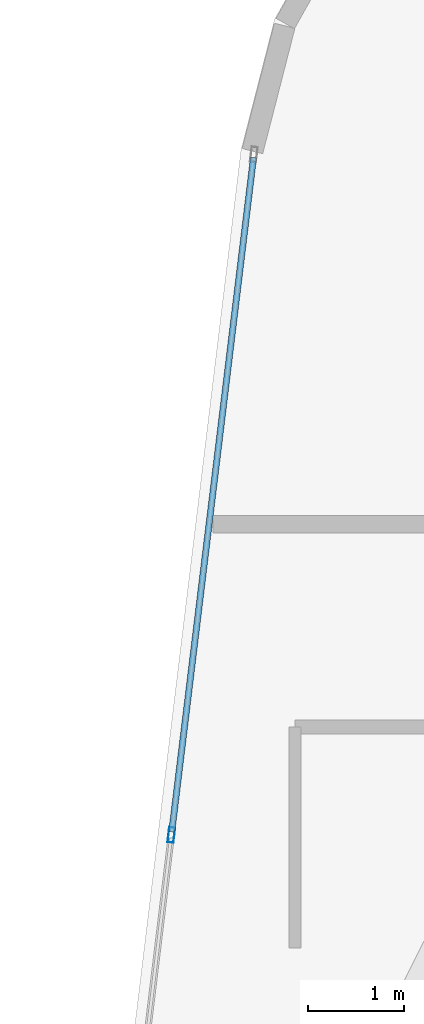
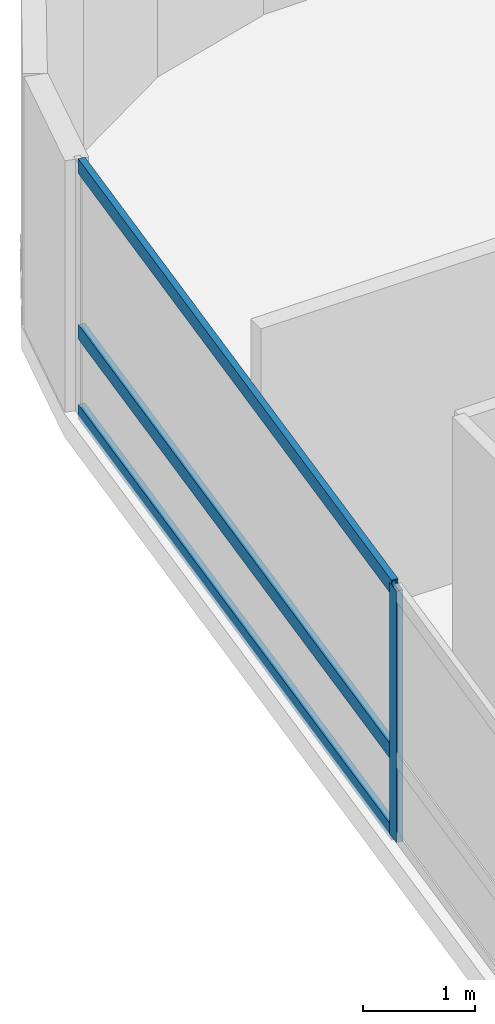
# One storey, part 10 of 26: 4 members, 1 element without a shape of its own.
"""IFC4 building model written with IfcOpenShell, lengths in metres."""

import ifcopenshell
import ifcopenshell.guid

model = None  # the IFC model being written
_history = None  # IfcOwnerHistory: only IFC2X3 demands one
_inside = {}  # id of a spatial element -> (the spatial element, [elements in it])
_under = {}  # id of a project, library or spatial element -> (it, [spatial elements below it])
_declared = {}  # id of a project -> (the project, [libraries it declares])
_typed = {}  # id of a type object -> (the type object, [elements of that type])
_made_of = {}  # id of a material, layer set ... -> (it, [elements and type objects made of it])


def new_model(schema):
    """Start an empty IFC model of exactly this schema.

    Asked for "IFC4X3", IfcOpenShell would pick the latest addendum, in which some entities
    have other attributes; the version numbers below select the first issue.
    IFC2X3 requires an IfcOwnerHistory on every rooted entity: one is made here for all.
    """
    global model, _history
    if schema == "IFC4X3":
        model = ifcopenshell.file(schema_version=(4, 3, 0, 0))
    else:
        model = ifcopenshell.file(schema=schema)
    _inside.clear()
    _under.clear()
    _declared.clear()
    _typed.clear()
    _made_of.clear()
    _history = None
    if model.schema == "IFC2X3":
        org = make("IfcOrganization", Name="unknown")
        user = make(
            "IfcPersonAndOrganization",
            ThePerson=make("IfcPerson", FamilyName="unknown"),
            TheOrganization=org,
        )
        app = make(
            "IfcApplication",
            ApplicationDeveloper=org,
            Version="unknown",
            ApplicationFullName="unknown",
            ApplicationIdentifier="unknown",
        )
        _history = make(
            "IfcOwnerHistory",
            OwningUser=user,
            OwningApplication=app,
            ChangeAction="ADDED",
            CreationDate=0,
        )
    return model


def make(cls, **values):
    """One entity of the class cls with the attributes given. An attribute that is None is left unset."""
    return model.create_entity(
        cls, **{name: value for name, value in values.items() if value is not None}
    )


def rooted(cls, **values):
    """An entity with a GlobalId (a new one), such as an element, a storey or a relation."""
    return make(cls, GlobalId=ifcopenshell.guid.new(), OwnerHistory=_history, **values)


def si_unit(unit_type, name, prefix=None):
    """IfcSIUnit, for example si_unit("LENGTHUNIT", "METRE", prefix="MILLI")."""
    return make("IfcSIUnit", UnitType=unit_type, Prefix=prefix, Name=name)


def assignment(units):
    """IfcUnitAssignment: the units of a project."""
    return None if units is None else make("IfcUnitAssignment", Units=units)


def point(xyz):
    """IfcCartesianPoint."""
    return None if xyz is None else make("IfcCartesianPoint", Coordinates=xyz)


def direction(xyz):
    """IfcDirection."""
    return None if xyz is None else make("IfcDirection", DirectionRatios=xyz)


def frame(location, z_axis=None, x_axis=None):
    """IfcAxis2Placement3D, a coordinate frame: its origin and axes. An axis left out is left unset."""
    return make(
        "IfcAxis2Placement3D",
        Location=point(location),
        Axis=direction(z_axis),
        RefDirection=direction(x_axis),
    )


def frame_2d(location, x_axis=None):
    """IfcAxis2Placement2D, a coordinate frame in the plane: its origin and x axis."""
    return make(
        "IfcAxis2Placement2D", Location=point(location), RefDirection=direction(x_axis)
    )


def origin():
    """The frame at (0, 0, 0) with its axes left unset."""
    return frame((0.0, 0.0, 0.0))


def origin_2d():
    """The frame at (0, 0) in the plane with its x axis left unset."""
    return frame_2d((0.0, 0.0))


def place(relative_to, where):
    """IfcLocalPlacement: puts the frame where relative to a parent placement (None: the world)."""
    return make(
        "IfcLocalPlacement", PlacementRelTo=relative_to, RelativePlacement=where
    )


def context(
    kind, dimensions, precision=None, world=None, true_north=None, identifier=None
):
    """IfcGeometricRepresentationContext, for example the 3D "Model" context."""
    return make(
        "IfcGeometricRepresentationContext",
        ContextIdentifier=identifier,
        ContextType=kind,
        CoordinateSpaceDimension=dimensions,
        Precision=precision,
        WorldCoordinateSystem=world,
        TrueNorth=true_north,
    )


def subcontext(parent, identifier, kind, view, scale=None):
    """IfcGeometricRepresentationSubContext, for example "Body" below "Model"."""
    return make(
        "IfcGeometricRepresentationSubContext",
        ContextIdentifier=identifier,
        ContextType=kind,
        ParentContext=parent,
        TargetScale=scale,
        TargetView=view,
    )


def project(units=None, contexts=None):
    """IfcProject with its units and contexts."""
    return rooted(
        "IfcProject",
        Name="project",
        RepresentationContexts=contexts,
        UnitsInContext=assignment(units),
    )


def spatial(cls, under=None, at=None, **own):
    """A site, building, storey or space (cls), placed at a placement, below another one or the project."""
    s = rooted(cls, ObjectPlacement=at, **own)
    if under is not None:
        _under.setdefault(under.id(), (under, []))[1].append(s)
    return s


def profile(cls, at=None, kind="AREA", **sizes):
    """A parametric profile (cls). Its sizes go by their IFC names, for example OverallWidth=200.0."""
    return make(cls, ProfileType=kind, Position=at, **sizes)


def hollow_rectangle(**sizes):
    """IfcRectangleHollowProfileDef."""
    return profile("IfcRectangleHollowProfileDef", **sizes)


def extrude(swept, where, along, depth):
    """IfcExtrudedAreaSolid: the profile swept, set in the frame where, extruded along a direction by depth."""
    return make(
        "IfcExtrudedAreaSolid",
        SweptArea=swept,
        Position=where,
        ExtrudedDirection=direction(along),
        Depth=depth,
    )


def shape(context_of_items, identifier, shape_type, items):
    """IfcShapeRepresentation: the items that make up one representation, for example the "Body"."""
    return make(
        "IfcShapeRepresentation",
        ContextOfItems=context_of_items,
        RepresentationIdentifier=identifier,
        RepresentationType=shape_type,
        Items=items,
    )


def material(Name=None, Category=None):
    """IfcMaterial."""
    return make("IfcMaterial", Name=Name, Category=Category)


def layer(
    of_material, thickness, ventilated=None, Name=None, Category=None, Priority=None
):
    """IfcMaterialLayer: one layer of a wall or slab, of a material (None: an air gap)."""
    return make(
        "IfcMaterialLayer",
        Material=of_material,
        LayerThickness=thickness,
        IsVentilated=ventilated,
        Name=Name,
        Category=Category,
        Priority=Priority,
    )


def layer_set(layers, Name=None):
    """IfcMaterialLayerSet."""
    return make("IfcMaterialLayerSet", MaterialLayers=layers, LayerSetName=Name)


def material_profile(
    of_material, cross_section, Name=None, Category=None, Priority=None
):
    """IfcMaterialProfile: a cross section and its material."""
    return make(
        "IfcMaterialProfile",
        Name=Name,
        Material=of_material,
        Profile=cross_section,
        Priority=Priority,
        Category=Category,
    )


def profile_set(profiles, Name=None, composite=None):
    """IfcMaterialProfileSet."""
    return make(
        "IfcMaterialProfileSet",
        Name=Name,
        MaterialProfiles=profiles,
        CompositeProfile=composite,
    )


def made_of(thing, what):
    """Note that an element or type object is made of a material, layer set ...; save() writes the relation."""
    if what is not None:
        _made_of.setdefault(what.id(), (what, []))[1].append(thing)
    return thing


def type_object(cls, material=None, **own):
    """A type object (cls), such as IfcWallType, which elements share."""
    return made_of(rooted(cls, **own), material)


def element(
    cls,
    number,
    at=None,
    inside=None,
    cuts=None,
    type_object=None,
    material=None,
    context=None,
    identifier="Body",
    shape_type=None,
    held_by="IfcProductDefinitionShape",
    body=None,
    shapes=None,
    **own,
):
    """One element of the class cls, such as IfcWall. Its Tag is "e" and its number.

    at: its placement. inside: the storey or other place that contains it. cuts: it is an
    opening in that element (IfcRelVoidsElement). A single representation is given by context,
    identifier, shape_type and body (its items); several are given by shapes. held_by: the class
    of the entity that holds the representations. save() writes the other relations.
    """
    e = rooted(cls, Tag="e%d" % number, ObjectPlacement=at, **own)
    if body is not None:
        shapes = [shape(context, identifier, shape_type, body)]
    if shapes is not None:
        e.Representation = make(held_by, Representations=shapes)
    if inside is not None:
        _inside.setdefault(inside.id(), (inside, []))[1].append(e)
    if cuts is not None:
        rooted(
            "IfcRelVoidsElement", RelatingBuildingElement=cuts, RelatedOpeningElement=e
        )
    if type_object is not None:
        _typed.setdefault(type_object.id(), (type_object, []))[1].append(e)
    return made_of(e, material)


def aggregate(whole, parts):
    """IfcRelAggregates: a whole, such as a stair, and the parts it consists of."""
    return rooted("IfcRelAggregates", RelatingObject=whole, RelatedObjects=parts)


def save(model, path):
    """Write the relations noted so far, then the file.

    IfcRelAggregates (storeys below a building ...), IfcRelContainedInSpatialStructure (elements
    in a storey), IfcRelDefinesByType, IfcRelAssociatesMaterial and IfcRelDeclares: one each for
    every whole, place, type object, material and project.
    """
    for whole, parts in _under.values():
        aggregate(whole, parts)
    for where, things in _inside.values():
        rooted(
            "IfcRelContainedInSpatialStructure",
            RelatedElements=things,
            RelatingStructure=where,
        )
    for kind, things in _typed.values():
        rooted("IfcRelDefinesByType", RelatedObjects=things, RelatingType=kind)
    for what, things in _made_of.values():
        rooted("IfcRelAssociatesMaterial", RelatedObjects=things, RelatingMaterial=what)
    for by, libraries in _declared.values():
        rooted("IfcRelDeclares", RelatingContext=by, RelatedDefinitions=libraries)
    model.write(path)


model = new_model("IFC4")

# Units and contexts
model_context = context("Model", 3, precision=1e-05, world=origin(), true_north=direction((0.0, 1.0)))
body_context = subcontext(model_context, "Body", "Model", "MODEL_VIEW")
ifc_project = project(units=[si_unit("LENGTHUNIT", "METRE"), si_unit("AREAUNIT", "SQUARE_METRE"), si_unit("VOLUMEUNIT", "CUBIC_METRE"), si_unit("PLANEANGLEUNIT", "RADIAN"), si_unit("MASSUNIT", "GRAM", prefix="KILO")], contexts=[model_context])

# Site, building, storey
site_placement = place(None, origin())
site = spatial("IfcSite", under=ifc_project, at=site_placement, CompositionType="ELEMENT")
building_placement = place(site_placement, origin())
building = spatial("IfcBuilding", under=site, at=building_placement, Name="Varnelok Gate Tower", CompositionType="ELEMENT")
storey_placement = place(building_placement, frame((0.0, 0.0, 147.60009765625)))
storey = spatial("IfcBuildingStorey", under=building, at=storey_placement, Name="L37", CompositionType="ELEMENT", Elevation=147.60009765625)

# Curtain wall, members
ifc_material = material(Name="Anodized Aluminum Alloy 6063-T6", Category="aluminium")
ifc_layer = layer(ifc_material, 0.179931640625)
ifc_layer_set = layer_set([ifc_layer], Name="Anodized Aluminum Alloy 6063-T6")
curtain_wall_type = type_object("IfcCurtainWallType", Name="CW3-HOTEL-VISION", PredefinedType="USERDEFINED", material=ifc_layer_set)
curtain_wall_placement = place(storey_placement, origin())
curtain_wall = element("IfcCurtainWall", 1, at=curtain_wall_placement, inside=storey, type_object=curtain_wall_type, Name="L37 West End Vision Curtain Wall", ObjectType="UNITISED CURTAIN WALL", PredefinedType="USERDEFINED")
ifc_material_profile_1 = material_profile(ifc_material, hollow_rectangle(XDim=0.06494140625, YDim=0.159912109375, WallThickness=0.00390625, at=origin_2d()), Name="ALU160X65X4")
ifc_profile_set_1 = profile_set([ifc_material_profile_1], Name="Anodized Aluminum Alloy 6063-T6")
member_type_1 = type_object("IfcMemberType", Name="CW-MULL-160", PredefinedType="MULLION", material=ifc_profile_set_1)
member_1_placement = place(storey_placement, frame((3.708984375, 40.4814453125, 0.0), z_axis=(0.0, 0.0, 1.0), x_axis=(-0.99273188146, 0.120347046212, 0.0)))
member_1 = element("IfcMember", 2, at=member_1_placement, type_object=member_type_1, Name="CW3 mullion 5", PredefinedType="MULLION", context=body_context, shape_type="SweptSolid", body=[
    extrude(hollow_rectangle(XDim=0.06494140625, YDim=0.159912109375, WallThickness=0.00390625, at=origin_2d()), origin(), (0.0, 0.0, 1.0), 2.72998046875),
])
ifc_material_profile_2 = material_profile(ifc_material, hollow_rectangle(XDim=0.06494140625, YDim=0.159912109375, WallThickness=0.00390625, at=origin_2d()), Name="ALU160X65X4")
ifc_profile_set_2 = profile_set([ifc_material_profile_2], Name="Anodized Aluminum Alloy 6063-T6")
member_type_2 = type_object("IfcMemberType", Name="CW-TRAN-160", PredefinedType="USERDEFINED", material=ifc_profile_set_2)
member_2_placement = place(storey_placement, frame((3.712890625, 40.513671875, 0.032470703125), z_axis=(0.120374481497, 0.992728555147, 0.0), x_axis=(-0.992728555147, 0.120374481497, 0.0)))
member_2 = element("IfcMember", 3, at=member_2_placement, type_object=member_type_2, Name="CW3 transom 5.1", ObjectType="TRANSOM", PredefinedType="USERDEFINED", context=body_context, shape_type="SweptSolid", body=[
    extrude(hollow_rectangle(XDim=0.06494140625, YDim=0.159912109375, WallThickness=0.00390625, at=origin_2d()), origin(), (0.0, 0.0, 1.0), 7.102783203125),
])
member_3_placement = place(storey_placement, frame((3.712890625, 40.513671875, 0.89990234375), z_axis=(0.120374481497, 0.992728555147, 0.0), x_axis=(-0.992728555147, 0.120374481497, 0.0)))
member_3 = element("IfcMember", 4, at=member_3_placement, type_object=member_type_2, Name="CW3 transom 5.2", ObjectType="TRANSOM", PredefinedType="USERDEFINED", context=body_context, shape_type="SweptSolid", body=[
    extrude(hollow_rectangle(XDim=0.06494140625, YDim=0.159912109375, WallThickness=0.00390625, at=origin_2d()), origin(), (0.0, 0.0, 1.0), 7.102783203125),
])
member_4_placement = place(storey_placement, frame((3.712890625, 40.513671875, 2.697509765625), z_axis=(0.120374481497, 0.992728555147, 0.0), x_axis=(-0.992728555147, 0.120374481497, 0.0)))
member_4 = element("IfcMember", 5, at=member_4_placement, type_object=member_type_2, Name="CW3 transom 5.3", ObjectType="TRANSOM", PredefinedType="USERDEFINED", context=body_context, shape_type="SweptSolid", body=[
    extrude(hollow_rectangle(XDim=0.06494140625, YDim=0.159912109375, WallThickness=0.00390625, at=origin_2d()), origin(), (0.0, 0.0, 1.0), 7.102783203125),
])
aggregate(curtain_wall, [member_1, member_2, member_3, member_4])

save(model, "model.ifc")
